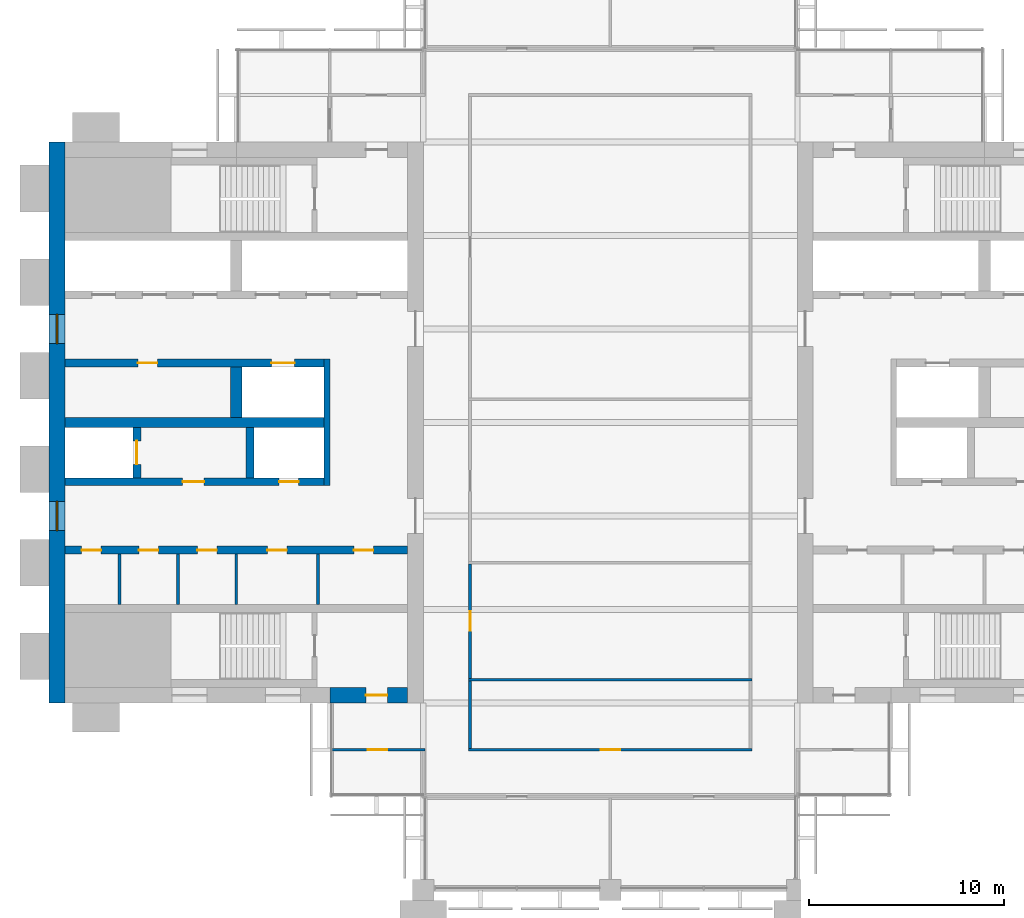
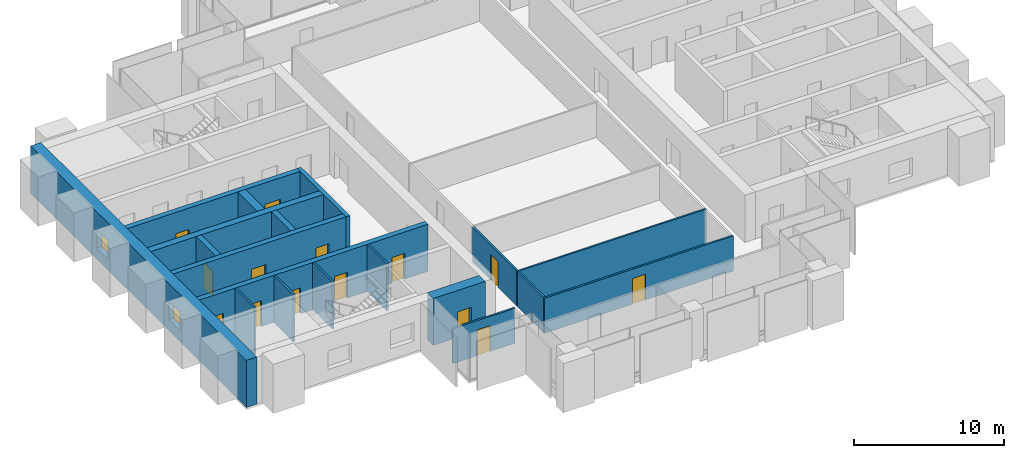
# One storey, part 8 of 13: 19 walls, 14 doors, 2 windows, 16 openings.
"""IFC4 building model written with IfcOpenShell, lengths in metres."""

import ifcopenshell
import ifcopenshell.guid

model = None  # the IFC model being written
_history = None  # IfcOwnerHistory: only IFC2X3 demands one
_inside = {}  # id of a spatial element -> (the spatial element, [elements in it])
_under = {}  # id of a project, library or spatial element -> (it, [spatial elements below it])
_declared = {}  # id of a project -> (the project, [libraries it declares])
_typed = {}  # id of a type object -> (the type object, [elements of that type])
_made_of = {}  # id of a material, layer set ... -> (it, [elements and type objects made of it])


def new_model(schema):
    """Start an empty IFC model of exactly this schema.

    Asked for "IFC4X3", IfcOpenShell would pick the latest addendum, in which some entities
    have other attributes; the version numbers below select the first issue.
    IFC2X3 requires an IfcOwnerHistory on every rooted entity: one is made here for all.
    """
    global model, _history
    if schema == "IFC4X3":
        model = ifcopenshell.file(schema_version=(4, 3, 0, 0))
    else:
        model = ifcopenshell.file(schema=schema)
    _inside.clear()
    _under.clear()
    _declared.clear()
    _typed.clear()
    _made_of.clear()
    _history = None
    if model.schema == "IFC2X3":
        org = make("IfcOrganization", Name="unknown")
        user = make(
            "IfcPersonAndOrganization",
            ThePerson=make("IfcPerson", FamilyName="unknown"),
            TheOrganization=org,
        )
        app = make(
            "IfcApplication",
            ApplicationDeveloper=org,
            Version="unknown",
            ApplicationFullName="unknown",
            ApplicationIdentifier="unknown",
        )
        _history = make(
            "IfcOwnerHistory",
            OwningUser=user,
            OwningApplication=app,
            ChangeAction="ADDED",
            CreationDate=0,
        )
    return model


def make(cls, **values):
    """One entity of the class cls with the attributes given. An attribute that is None is left unset."""
    return model.create_entity(
        cls, **{name: value for name, value in values.items() if value is not None}
    )


def rooted(cls, **values):
    """An entity with a GlobalId (a new one), such as an element, a storey or a relation."""
    return make(cls, GlobalId=ifcopenshell.guid.new(), OwnerHistory=_history, **values)


def si_unit(unit_type, name, prefix=None):
    """IfcSIUnit, for example si_unit("LENGTHUNIT", "METRE", prefix="MILLI")."""
    return make("IfcSIUnit", UnitType=unit_type, Prefix=prefix, Name=name)


def assignment(units):
    """IfcUnitAssignment: the units of a project."""
    return None if units is None else make("IfcUnitAssignment", Units=units)


def point(xyz):
    """IfcCartesianPoint."""
    return None if xyz is None else make("IfcCartesianPoint", Coordinates=xyz)


def direction(xyz):
    """IfcDirection."""
    return None if xyz is None else make("IfcDirection", DirectionRatios=xyz)


def frame(location, z_axis=None, x_axis=None):
    """IfcAxis2Placement3D, a coordinate frame: its origin and axes. An axis left out is left unset."""
    return make(
        "IfcAxis2Placement3D",
        Location=point(location),
        Axis=direction(z_axis),
        RefDirection=direction(x_axis),
    )


def frame_2d(location, x_axis=None):
    """IfcAxis2Placement2D, a coordinate frame in the plane: its origin and x axis."""
    return make(
        "IfcAxis2Placement2D", Location=point(location), RefDirection=direction(x_axis)
    )


def origin():
    """The frame at (0, 0, 0) with its axes left unset."""
    return frame((0.0, 0.0, 0.0))


def place(relative_to, where):
    """IfcLocalPlacement: puts the frame where relative to a parent placement (None: the world)."""
    return make(
        "IfcLocalPlacement", PlacementRelTo=relative_to, RelativePlacement=where
    )


def context(
    kind, dimensions, precision=None, world=None, true_north=None, identifier=None
):
    """IfcGeometricRepresentationContext, for example the 3D "Model" context."""
    return make(
        "IfcGeometricRepresentationContext",
        ContextIdentifier=identifier,
        ContextType=kind,
        CoordinateSpaceDimension=dimensions,
        Precision=precision,
        WorldCoordinateSystem=world,
        TrueNorth=true_north,
    )


def subcontext(parent, identifier, kind, view, scale=None):
    """IfcGeometricRepresentationSubContext, for example "Body" below "Model"."""
    return make(
        "IfcGeometricRepresentationSubContext",
        ContextIdentifier=identifier,
        ContextType=kind,
        ParentContext=parent,
        TargetScale=scale,
        TargetView=view,
    )


def project(units=None, contexts=None):
    """IfcProject with its units and contexts."""
    return rooted(
        "IfcProject",
        Name="project",
        RepresentationContexts=contexts,
        UnitsInContext=assignment(units),
    )


def spatial(cls, under=None, at=None, **own):
    """A site, building, storey or space (cls), placed at a placement, below another one or the project."""
    s = rooted(cls, ObjectPlacement=at, **own)
    if under is not None:
        _under.setdefault(under.id(), (under, []))[1].append(s)
    return s


def profile(cls, at=None, kind="AREA", **sizes):
    """A parametric profile (cls). Its sizes go by their IFC names, for example OverallWidth=200.0."""
    return make(cls, ProfileType=kind, Position=at, **sizes)


def rectangle(**sizes):
    """IfcRectangleProfileDef."""
    return profile("IfcRectangleProfileDef", **sizes)


def extrude(swept, where, along, depth):
    """IfcExtrudedAreaSolid: the profile swept, set in the frame where, extruded along a direction by depth."""
    return make(
        "IfcExtrudedAreaSolid",
        SweptArea=swept,
        Position=where,
        ExtrudedDirection=direction(along),
        Depth=depth,
    )


def shape(context_of_items, identifier, shape_type, items):
    """IfcShapeRepresentation: the items that make up one representation, for example the "Body"."""
    return make(
        "IfcShapeRepresentation",
        ContextOfItems=context_of_items,
        RepresentationIdentifier=identifier,
        RepresentationType=shape_type,
        Items=items,
    )


def material(Name=None, Category=None):
    """IfcMaterial."""
    return make("IfcMaterial", Name=Name, Category=Category)


def layer(
    of_material, thickness, ventilated=None, Name=None, Category=None, Priority=None
):
    """IfcMaterialLayer: one layer of a wall or slab, of a material (None: an air gap)."""
    return make(
        "IfcMaterialLayer",
        Material=of_material,
        LayerThickness=thickness,
        IsVentilated=ventilated,
        Name=Name,
        Category=Category,
        Priority=Priority,
    )


def layer_set(layers, Name=None):
    """IfcMaterialLayerSet."""
    return make("IfcMaterialLayerSet", MaterialLayers=layers, LayerSetName=Name)


def made_of(thing, what):
    """Note that an element or type object is made of a material, layer set ...; save() writes the relation."""
    if what is not None:
        _made_of.setdefault(what.id(), (what, []))[1].append(thing)
    return thing


def type_object(cls, material=None, **own):
    """A type object (cls), such as IfcWallType, which elements share."""
    return made_of(rooted(cls, **own), material)


def element(
    cls,
    number,
    at=None,
    inside=None,
    cuts=None,
    type_object=None,
    material=None,
    context=None,
    identifier="Body",
    shape_type=None,
    held_by="IfcProductDefinitionShape",
    body=None,
    shapes=None,
    **own,
):
    """One element of the class cls, such as IfcWall. Its Tag is "e" and its number.

    at: its placement. inside: the storey or other place that contains it. cuts: it is an
    opening in that element (IfcRelVoidsElement). A single representation is given by context,
    identifier, shape_type and body (its items); several are given by shapes. held_by: the class
    of the entity that holds the representations. save() writes the other relations.
    """
    e = rooted(cls, Tag="e%d" % number, ObjectPlacement=at, **own)
    if body is not None:
        shapes = [shape(context, identifier, shape_type, body)]
    if shapes is not None:
        e.Representation = make(held_by, Representations=shapes)
    if inside is not None:
        _inside.setdefault(inside.id(), (inside, []))[1].append(e)
    if cuts is not None:
        rooted(
            "IfcRelVoidsElement", RelatingBuildingElement=cuts, RelatedOpeningElement=e
        )
    if type_object is not None:
        _typed.setdefault(type_object.id(), (type_object, []))[1].append(e)
    return made_of(e, material)


def fill(opening, filler):
    """IfcRelFillsElement: the door or window that sits in an opening."""
    return rooted(
        "IfcRelFillsElement",
        RelatingOpeningElement=opening,
        RelatedBuildingElement=filler,
    )


def aggregate(whole, parts):
    """IfcRelAggregates: a whole, such as a stair, and the parts it consists of."""
    return rooted("IfcRelAggregates", RelatingObject=whole, RelatedObjects=parts)


def save(model, path):
    """Write the relations noted so far, then the file.

    IfcRelAggregates (storeys below a building ...), IfcRelContainedInSpatialStructure (elements
    in a storey), IfcRelDefinesByType, IfcRelAssociatesMaterial and IfcRelDeclares: one each for
    every whole, place, type object, material and project.
    """
    for whole, parts in _under.values():
        aggregate(whole, parts)
    for where, things in _inside.values():
        rooted(
            "IfcRelContainedInSpatialStructure",
            RelatedElements=things,
            RelatingStructure=where,
        )
    for kind, things in _typed.values():
        rooted("IfcRelDefinesByType", RelatedObjects=things, RelatingType=kind)
    for what, things in _made_of.values():
        rooted("IfcRelAssociatesMaterial", RelatedObjects=things, RelatingMaterial=what)
    for by, libraries in _declared.values():
        rooted("IfcRelDeclares", RelatingContext=by, RelatedDefinitions=libraries)
    model.write(path)


model = new_model("IFC4")

# Units and contexts
model_context = context("Model", 3, precision=1e-05, world=origin(), true_north=direction((0.0, 1.0)))
body_context = subcontext(model_context, "Body", "Model", "MODEL_VIEW")
ifc_project = project(units=[si_unit("LENGTHUNIT", "METRE"), si_unit("AREAUNIT", "SQUARE_METRE"), si_unit("VOLUMEUNIT", "CUBIC_METRE"), si_unit("PLANEANGLEUNIT", "RADIAN"), si_unit("MASSUNIT", "GRAM", prefix="KILO")], contexts=[model_context])

# Site, building, storey
site_placement = place(None, origin())
site = spatial("IfcSite", under=ifc_project, at=site_placement, CompositionType="ELEMENT")
building_placement = place(site_placement, origin())
building = spatial("IfcBuilding", under=site, at=building_placement, Name="Baori Bourse Tower", CompositionType="ELEMENT")
storey_placement = place(building_placement, frame((0.0, 0.0, 253.199951171875)))
storey = spatial("IfcBuildingStorey", under=building, at=storey_placement, Name="L56", CompositionType="ELEMENT", Elevation=253.199951171875)

# Walls
ifc_material_1 = material(Name="Blockwork partition", Category="masonry")
ifc_layer_1 = layer(ifc_material_1, 0.14990234375)
ifc_layer_set_1 = layer_set([ifc_layer_1], Name="Core partition 150")
wall_type_1 = type_object("IfcWallType", Name="Core partition 150", PredefinedType="PARTITIONING", material=ifc_layer_set_1)
for number, where, z_axis, x_axis, name in (
    (1, (3.60009765625, 14.64990234375, 0.0), (0.0, 0.0, 1.0), (0.0, 1.0, 0.0), "Partition wall W09"),
    (2, (6.60009765625, 14.64990234375, 0.0), (0.0, 0.0, 1.0), (0.0, 1.0, 0.0), "Partition wall W10"),
    (3, (9.60009765625, 14.64990234375, 0.0), (0.0, 0.0, 1.0), (0.0, 1.0, 0.0), "Partition wall W11"),
    (4, (13.800048828125, 14.64990234375, 0.0), (0.0, 0.0, 1.0), (0.0, 1.0, 0.0), "Partition wall W12"),
):
    element("IfcWall", number, at=place(storey_placement, frame(where, z_axis=z_axis, x_axis=x_axis)), inside=storey, type_object=wall_type_1, Name=name, PredefinedType="PARTITIONING", context=body_context, shape_type="SweptSolid", body=[
        extrude(rectangle(XDim=2.60009765625, YDim=0.14990234375, at=frame_2d((1.300048828125, 0.0))), origin(), (0.0, 0.0, 1.0), 3.840087890625),
    ])

# Wall, openings, windows
ifc_material_2 = material(Name="Concrete f'c 50 MPa", Category="concrete")
ifc_layer_2 = layer(ifc_material_2, 0.800048828125)
ifc_layer_set_2 = layer_set([ifc_layer_2], Name="Core wall 800 f'c 50")
wall_type_2 = type_object("IfcWallType", Name="Core wall 800 f'c 50", PredefinedType="SHEAR", material=ifc_layer_set_2)
wall_1_placement = place(storey_placement, frame((0.39990234375, 9.60009765625, 0.0), z_axis=(0.0, 0.0, 1.0), x_axis=(0.0, 1.0, 0.0)))
wall_1 = element("IfcWall", 5, at=wall_1_placement, inside=storey, type_object=wall_type_2, Name="Core wall W01", PredefinedType="SHEAR", context=body_context, shape_type="SweptSolid", body=[
    extrude(rectangle(XDim=28.7998046875, YDim=0.800048828125, at=frame_2d((14.39990234375, 0.0))), origin(), (0.0, 0.0, 1.0), 3.840087890625),
])
opening_1_placement = place(wall_1_placement, frame((8.85009765625, 0.0, 0.89990234375)))
opening_1 = element("IfcOpeningElement", 6, at=opening_1_placement, cuts=wall_1, Name="Opening L56-KW101", PredefinedType="OPENING", context=body_context, shape_type="SweptSolid", body=[
    extrude(rectangle(XDim=1.5, YDim=1.5, at=frame_2d((0.75, 0.75))), frame((0.0, 0.409912109375, 0.0), z_axis=(0.0, -1.0, 0.0), x_axis=(1.0, 0.0, 0.0)), (0.0, 0.0, 1.0), 0.820068359375),
])
opening_2_placement = place(wall_1_placement, frame((18.449951171875, 0.0, 0.89990234375)))
opening_2 = element("IfcOpeningElement", 7, at=opening_2_placement, cuts=wall_1, Name="Opening L56-KW102", PredefinedType="OPENING", context=body_context, shape_type="SweptSolid", body=[
    extrude(rectangle(XDim=1.5, YDim=1.5, at=frame_2d((0.75, 0.75))), frame((0.0, 0.409912109375, 0.0), z_axis=(0.0, -1.0, 0.0), x_axis=(1.0, 0.0, 0.0)), (0.0, 0.0, 1.0), 0.820068359375),
])
ifc_material_3 = material(Name="Pale anodised aluminium", Category="aluminium")
window_type = type_object("IfcWindowType", Name="Lobby window 1500 x 1500", PartitioningType="SINGLE_PANEL", PredefinedType="WINDOW", material=ifc_material_3)
window_1_placement = place(opening_1_placement, origin())
window_1 = element("IfcWindow", 8, at=window_1_placement, inside=storey, type_object=window_type, Name="Outer wall window W L56 1", OverallHeight=1.5, OverallWidth=1.5, PartitioningType="SINGLE_PANEL", PredefinedType="WINDOW", context=body_context, shape_type="SweptSolid", body=[
    extrude(rectangle(XDim=1.5, YDim=1.5, at=frame_2d((0.75, 0.75))), frame((0.0, 0.030029296875, 0.0), z_axis=(0.0, -1.0, 0.0), x_axis=(1.0, 0.0, 0.0)), (0.0, 0.0, 1.0), 0.06005859375),
])
fill(opening_1, window_1)
window_2_placement = place(opening_2_placement, origin())
window_2 = element("IfcWindow", 9, at=window_2_placement, inside=storey, type_object=window_type, Name="Outer wall window W L56 2", OverallHeight=1.5, OverallWidth=1.5, PartitioningType="SINGLE_PANEL", PredefinedType="WINDOW", context=body_context, shape_type="SweptSolid", body=[
    extrude(rectangle(XDim=1.5, YDim=1.5, at=frame_2d((0.75, 0.75))), frame((0.0, 0.030029296875, 0.0), z_axis=(0.0, -1.0, 0.0), x_axis=(1.0, 0.0, 0.0)), (0.0, 0.0, 1.0), 0.06005859375),
])
fill(opening_2, window_2)

# Wall, opening, door
wall_2_placement = place(storey_placement, frame((18.39990234375, 10.0, 0.0), z_axis=(0.0, 0.0, 1.0), x_axis=(-1.0, 0.0, 0.0)))
wall_2 = element("IfcWall", 10, at=wall_2_placement, inside=storey, type_object=wall_type_2, Name="Core wall W03", PredefinedType="SHEAR", context=body_context, shape_type="SweptSolid", body=[
    extrude(rectangle(XDim=4.0, YDim=0.800048828125, at=frame_2d((2.0, 0.0))), origin(), (0.0, 0.0, 1.0), 3.840087890625),
])
opening_3_placement = place(wall_2_placement, frame((1.050048828125, 0.0, 0.0)))
opening_3 = element("IfcOpeningElement", 11, at=opening_3_placement, cuts=wall_2, Name="Opening L56-D102", PredefinedType="OPENING", context=body_context, shape_type="SweptSolid", body=[
    extrude(rectangle(XDim=1.10009765625, YDim=2.10009765625, at=frame_2d((0.550048828125, 1.050048828125))), frame((0.0, 0.409912109375, 0.0), z_axis=(0.0, -1.0, 0.0), x_axis=(1.0, 0.0, 0.0)), (0.0, 0.0, 1.0), 0.820068359375),
])
ifc_material_4 = material(Name="Painted steel door", Category="steel")
door_type_1 = type_object("IfcDoorType", Name="Stair door 1100", OperationType="SINGLE_SWING_LEFT", PredefinedType="DOOR", material=ifc_material_4)
door_1_placement = place(opening_3_placement, origin())
door_1 = element("IfcDoor", 12, at=door_1_placement, inside=storey, type_object=door_type_1, Name="Stair vestibule door A W L56", OperationType="SINGLE_SWING_LEFT", OverallHeight=2.10009765625, OverallWidth=1.10009765625, PredefinedType="DOOR", context=body_context, shape_type="SweptSolid", body=[
    extrude(rectangle(XDim=1.10009765625, YDim=2.10009765625, at=frame_2d((0.550048828125, 1.050048828125))), frame((0.0, 0.02490234375, 0.0), z_axis=(0.0, -1.0, 0.0), x_axis=(1.0, 0.0, 0.0)), (0.0, 0.0, 1.0), 0.050048828125),
])
fill(opening_3, door_1)

ifc_material_5 = material(Name="Gypsum board partition")
ifc_layer_3 = layer(ifc_material_5, 0.14990234375)
ifc_layer_set_3 = layer_set([ifc_layer_3], Name="Corridor partition 150")
wall_type_3 = type_object("IfcWallType", Name="Corridor partition 150", PredefinedType="PARTITIONING", material=ifc_layer_set_3)
wall_3_placement = place(storey_placement, frame((14.5, 7.199951171875, 0.0), z_axis=(0.0, 0.0, 1.0), x_axis=(1.0, 0.0, 0.0)))
wall_3 = element("IfcWall", 13, at=wall_3_placement, inside=storey, type_object=wall_type_3, Name="Partition", PredefinedType="PARTITIONING", context=body_context, shape_type="SweptSolid", body=[
    extrude(rectangle(XDim=4.77490234375, YDim=0.14990234375, at=frame_2d((2.387451171875, 0.0))), origin(), (0.0, 0.0, 1.0), 2.849365234375),
])
opening_4_placement = place(wall_3_placement, frame((1.85009765625, 0.0, 0.0)))
opening_4 = element("IfcOpeningElement", 14, at=opening_4_placement, cuts=wall_3, Name="Opening L56-D03", PredefinedType="OPENING", context=body_context, shape_type="SweptSolid", body=[
    extrude(rectangle(XDim=1.0, YDim=2.10009765625, at=frame_2d((0.5, 1.050048828125))), frame((0.0, 0.0849609375, 0.0), z_axis=(0.0, -1.0, 0.0), x_axis=(1.0, 0.0, 0.0)), (0.0, 0.0, 1.0), 0.169921875),
])
ifc_material_6 = material(Name="Timber door leaf", Category="wood")
door_type_2 = type_object("IfcDoorType", Name="Door 1000 x 2100", OperationType="SINGLE_SWING_LEFT", PredefinedType="DOOR", material=ifc_material_6)
door_2_placement = place(opening_4_placement, origin())
door_2 = element("IfcDoor", 15, at=door_2_placement, inside=storey, type_object=door_type_2, Name="Door", OperationType="SINGLE_SWING_LEFT", OverallHeight=2.10009765625, OverallWidth=1.0, PredefinedType="DOOR", context=body_context, shape_type="SweptSolid", body=[
    extrude(rectangle(XDim=1.0, YDim=2.10009765625, at=frame_2d((0.5, 1.050048828125))), frame((0.0, 0.02490234375, 0.0), z_axis=(0.0, -1.0, 0.0), x_axis=(1.0, 0.0, 0.0)), (0.0, 0.0, 1.0), 0.050048828125),
])
fill(opening_4, door_2)

wall_4_placement = place(storey_placement, frame((21.52490234375, 7.199951171875, 0.0), z_axis=(0.0, 0.0, 1.0), x_axis=(1.0, 0.0, 0.0)))
wall_4 = element("IfcWall", 16, at=wall_4_placement, inside=storey, type_object=wall_type_3, Name="Partition", PredefinedType="PARTITIONING", context=body_context, shape_type="SweptSolid", body=[
    extrude(rectangle(XDim=14.550048828125, YDim=0.14990234375, at=frame_2d((7.27490234375, 0.0))), origin(), (0.0, 0.0, 1.0), 2.849365234375),
])
opening_5_placement = place(wall_4_placement, frame((6.77490234375, 0.0, 0.0)))
opening_5 = element("IfcOpeningElement", 17, at=opening_5_placement, cuts=wall_4, Name="Opening L56-D04", PredefinedType="OPENING", context=body_context, shape_type="SweptSolid", body=[
    extrude(rectangle(XDim=1.0, YDim=2.10009765625, at=frame_2d((0.5, 1.050048828125))), frame((0.0, 0.0849609375, 0.0), z_axis=(0.0, -1.0, 0.0), x_axis=(1.0, 0.0, 0.0)), (0.0, 0.0, 1.0), 0.169921875),
])
door_3_placement = place(opening_5_placement, origin())
door_3 = element("IfcDoor", 18, at=door_3_placement, inside=storey, type_object=door_type_2, Name="Door", OperationType="SINGLE_SWING_RIGHT", OverallHeight=2.10009765625, OverallWidth=1.0, PredefinedType="DOOR", context=body_context, shape_type="SweptSolid", body=[
    extrude(rectangle(XDim=1.0, YDim=2.10009765625, at=frame_2d((0.5, 1.050048828125))), frame((0.0, 0.02490234375, 0.0), z_axis=(0.0, -1.0, 0.0), x_axis=(1.0, 0.0, 0.0)), (0.0, 0.0, 1.0), 0.050048828125),
])
fill(opening_5, door_3)

# Wall
wall_5_placement = place(storey_placement, frame((21.60009765625, 7.27490234375, 0.0), z_axis=(0.0, 0.0, 1.0), x_axis=(0.0, 1.0, 0.0)))
element("IfcWall", 19, at=wall_5_placement, inside=storey, type_object=wall_type_3, Name="Partition", PredefinedType="PARTITIONING", context=body_context, shape_type="SweptSolid", body=[
    extrude(rectangle(XDim=3.462646484375, YDim=0.14990234375, at=frame_2d((1.7314453125, 0.0))), origin(), (0.0, 0.0, 1.0), 2.849365234375),
])

# Wall, opening, door
wall_6_placement = place(storey_placement, frame((21.60009765625, 10.862548828125, 0.0), z_axis=(0.0, 0.0, 1.0), x_axis=(0.0, 1.0, 0.0)))
wall_6 = element("IfcWall", 20, at=wall_6_placement, inside=storey, type_object=wall_type_3, Name="Partition", PredefinedType="PARTITIONING", context=body_context, shape_type="SweptSolid", body=[
    extrude(rectangle(XDim=5.875, YDim=0.14990234375, at=frame_2d((2.9375, 0.0))), origin(), (0.0, 0.0, 1.0), 2.849365234375),
])
opening_6_placement = place(wall_6_placement, frame((2.4375, 0.0, 0.0)))
opening_6 = element("IfcOpeningElement", 21, at=opening_6_placement, cuts=wall_6, Name="Opening L56-D11", PredefinedType="OPENING", context=body_context, shape_type="SweptSolid", body=[
    extrude(rectangle(XDim=1.0, YDim=2.10009765625, at=frame_2d((0.5, 1.050048828125))), frame((0.0, 0.0849609375, 0.0), z_axis=(0.0, -1.0, 0.0), x_axis=(1.0, 0.0, 0.0)), (0.0, 0.0, 1.0), 0.169921875),
])
door_4_placement = place(opening_6_placement, origin())
door_4 = element("IfcDoor", 22, at=door_4_placement, inside=storey, type_object=door_type_2, Name="Door", OperationType="SINGLE_SWING_LEFT", OverallHeight=2.10009765625, OverallWidth=1.0, PredefinedType="DOOR", context=body_context, shape_type="SweptSolid", body=[
    extrude(rectangle(XDim=1.0, YDim=2.10009765625, at=frame_2d((0.5, 1.050048828125))), frame((0.0, 0.02490234375, 0.0), z_axis=(0.0, -1.0, 0.0), x_axis=(1.0, 0.0, 0.0)), (0.0, 0.0, 1.0), 0.050048828125),
])
fill(opening_6, door_4)

# Walls
ifc_material_7 = material(Name="Gypsum board partition")
ifc_layer_4 = layer(ifc_material_7, 0.125)
ifc_layer_set_4 = layer_set([ifc_layer_4], Name="Partition 125")
wall_type_4 = type_object("IfcWallType", Name="Partition 125", PredefinedType="PARTITIONING", material=ifc_layer_set_4)
wall_7_placement = place(storey_placement, frame((21.52490234375, 10.800048828125, 0.0), z_axis=(0.0, 0.0, 1.0), x_axis=(1.0, 0.0, 0.0)))
element("IfcWall", 23, at=wall_7_placement, inside=storey, type_object=wall_type_4, Name="Partition", PredefinedType="PARTITIONING", context=body_context, shape_type="SweptSolid", body=[
    extrude(rectangle(XDim=14.550048828125, YDim=0.125, at=frame_2d((7.27490234375, 0.0))), origin(), (0.0, 0.0, 1.0), 2.849365234375),
])
ifc_material_8 = material(Name="Concrete f'c 50 MPa", Category="concrete")
ifc_layer_5 = layer(ifc_material_8, 0.300048828125)
ifc_layer_set_5 = layer_set([ifc_layer_5], Name="Shaft wall 300 f'c 50")
wall_type_5 = type_object("IfcWallType", Name="Shaft wall 300 f'c 50", PredefinedType="SHEAR", material=ifc_layer_set_5)
wall_8_placement = place(storey_placement, frame((14.25, 20.75, 0.0), z_axis=(0.0, 0.0, 1.0), x_axis=(0.0, 1.0, 0.0)))
element("IfcWall", 24, at=wall_8_placement, inside=storey, type_object=wall_type_5, Name="Core wall W15", PredefinedType="SHEAR", context=body_context, shape_type="SweptSolid", body=[
    extrude(rectangle(XDim=6.5, YDim=0.300048828125, at=frame_2d((3.25, 0.0))), origin(), (0.0, 0.0, 1.0), 3.840087890625),
])

# Wall, openings, doors
ifc_material_9 = material(Name="Concrete f'c 50 MPa", Category="concrete")
ifc_layer_6 = layer(ifc_material_9, 0.39990234375)
ifc_layer_set_6 = layer_set([ifc_layer_6], Name="Shaft wall 400 f'c 50")
wall_type_6 = type_object("IfcWallType", Name="Shaft wall 400 f'c 50", PredefinedType="SHEAR", material=ifc_layer_set_6)
wall_9_placement = place(storey_placement, frame((0.800048828125, 17.449951171875, 0.0), z_axis=(0.0, 0.0, 1.0), x_axis=(1.0, 0.0, 0.0)))
wall_9 = element("IfcWall", 25, at=wall_9_placement, inside=storey, type_object=wall_type_6, Name="Core wall W13", PredefinedType="SHEAR", context=body_context, shape_type="SweptSolid", body=[
    extrude(rectangle(XDim=17.599853515625, YDim=0.39990234375, at=frame_2d((8.7998046875, 0.0))), origin(), (0.0, 0.0, 1.0), 3.840087890625),
])
opening_7_placement = place(wall_9_placement, frame((0.862548828125, 0.0, 0.0)))
opening_7 = element("IfcOpeningElement", 26, at=opening_7_placement, cuts=wall_9, Name="Opening L56-D109", PredefinedType="OPENING", context=body_context, shape_type="SweptSolid", body=[
    extrude(rectangle(XDim=1.0, YDim=2.10009765625, at=frame_2d((0.5, 1.050048828125))), frame((0.0, 0.2099609375, 0.0), z_axis=(0.0, -1.0, 0.0), x_axis=(1.0, 0.0, 0.0)), (0.0, 0.0, 1.0), 0.419921875),
])
opening_8_placement = place(wall_9_placement, frame((3.800048828125, 0.0, 0.0)))
opening_8 = element("IfcOpeningElement", 27, at=opening_8_placement, cuts=wall_9, Name="Opening L56-D110", PredefinedType="OPENING", context=body_context, shape_type="SweptSolid", body=[
    extrude(rectangle(XDim=1.0, YDim=2.10009765625, at=frame_2d((0.5, 1.050048828125))), frame((0.0, 0.2099609375, 0.0), z_axis=(0.0, -1.0, 0.0), x_axis=(1.0, 0.0, 0.0)), (0.0, 0.0, 1.0), 0.419921875),
])
opening_9_placement = place(wall_9_placement, frame((6.800048828125, 0.0, 0.0)))
opening_9 = element("IfcOpeningElement", 28, at=opening_9_placement, cuts=wall_9, Name="Opening L56-D111", PredefinedType="OPENING", context=body_context, shape_type="SweptSolid", body=[
    extrude(rectangle(XDim=1.0, YDim=2.10009765625, at=frame_2d((0.5, 1.050048828125))), frame((0.0, 0.2099609375, 0.0), z_axis=(0.0, -1.0, 0.0), x_axis=(1.0, 0.0, 0.0)), (0.0, 0.0, 1.0), 0.419921875),
])
opening_10_placement = place(wall_9_placement, frame((10.39990234375, 0.0, 0.0)))
opening_10 = element("IfcOpeningElement", 29, at=opening_10_placement, cuts=wall_9, Name="Opening L56-D112", PredefinedType="OPENING", context=body_context, shape_type="SweptSolid", body=[
    extrude(rectangle(XDim=1.0, YDim=2.10009765625, at=frame_2d((0.5, 1.050048828125))), frame((0.0, 0.2099609375, 0.0), z_axis=(0.0, -1.0, 0.0), x_axis=(1.0, 0.0, 0.0)), (0.0, 0.0, 1.0), 0.419921875),
])
opening_11_placement = place(wall_9_placement, frame((14.83740234375, 0.0, 0.0)))
opening_11 = element("IfcOpeningElement", 30, at=opening_11_placement, cuts=wall_9, Name="Opening L56-D113", PredefinedType="OPENING", context=body_context, shape_type="SweptSolid", body=[
    extrude(rectangle(XDim=1.0, YDim=2.10009765625, at=frame_2d((0.5, 1.050048828125))), frame((0.0, 0.2099609375, 0.0), z_axis=(0.0, -1.0, 0.0), x_axis=(1.0, 0.0, 0.0)), (0.0, 0.0, 1.0), 0.419921875),
])
ifc_material_10 = material(Name="Painted steel door", Category="steel")
door_type_3 = type_object("IfcDoorType", Name="Core door 1000", OperationType="SINGLE_SWING_LEFT", PredefinedType="DOOR", material=ifc_material_10)
door_5_placement = place(opening_7_placement, origin())
door_5 = element("IfcDoor", 31, at=door_5_placement, inside=storey, type_object=door_type_3, Name="Janitor'S Closet door W L56", OperationType="SINGLE_SWING_LEFT", OverallHeight=2.10009765625, OverallWidth=1.0, PredefinedType="DOOR", context=body_context, shape_type="SweptSolid", body=[
    extrude(rectangle(XDim=1.0, YDim=2.10009765625, at=frame_2d((0.5, 1.050048828125))), frame((0.0, 0.02490234375, 0.0), z_axis=(0.0, -1.0, 0.0), x_axis=(1.0, 0.0, 0.0)), (0.0, 0.0, 1.0), 0.050048828125),
])
fill(opening_7, door_5)
door_6_placement = place(opening_8_placement, origin())
door_6 = element("IfcDoor", 32, at=door_6_placement, inside=storey, type_object=door_type_3, Name="Accessible Wc door W L56", OperationType="SINGLE_SWING_LEFT", OverallHeight=2.10009765625, OverallWidth=1.0, PredefinedType="DOOR", context=body_context, shape_type="SweptSolid", body=[
    extrude(rectangle(XDim=1.0, YDim=2.10009765625, at=frame_2d((0.5, 1.050048828125))), frame((0.0, 0.02490234375, 0.0), z_axis=(0.0, -1.0, 0.0), x_axis=(1.0, 0.0, 0.0)), (0.0, 0.0, 1.0), 0.050048828125),
])
fill(opening_8, door_6)
door_7_placement = place(opening_10_placement, origin())
door_7 = element("IfcDoor", 33, at=door_7_placement, inside=storey, type_object=door_type_3, Name="Men'S Wc door W L56", OperationType="SINGLE_SWING_LEFT", OverallHeight=2.10009765625, OverallWidth=1.0, PredefinedType="DOOR", context=body_context, shape_type="SweptSolid", body=[
    extrude(rectangle(XDim=1.0, YDim=2.10009765625, at=frame_2d((0.5, 1.050048828125))), frame((0.0, 0.02490234375, 0.0), z_axis=(0.0, -1.0, 0.0), x_axis=(1.0, 0.0, 0.0)), (0.0, 0.0, 1.0), 0.050048828125),
])
fill(opening_10, door_7)
door_8_placement = place(opening_11_placement, origin())
door_8 = element("IfcDoor", 34, at=door_8_placement, inside=storey, type_object=door_type_3, Name="Women'S Wc door W L56", OperationType="SINGLE_SWING_LEFT", OverallHeight=2.10009765625, OverallWidth=1.0, PredefinedType="DOOR", context=body_context, shape_type="SweptSolid", body=[
    extrude(rectangle(XDim=1.0, YDim=2.10009765625, at=frame_2d((0.5, 1.050048828125))), frame((0.0, 0.02490234375, 0.0), z_axis=(0.0, -1.0, 0.0), x_axis=(1.0, 0.0, 0.0)), (0.0, 0.0, 1.0), 0.050048828125),
])
fill(opening_11, door_8)
ifc_material_11 = material(Name="Painted steel door", Category="steel")
door_type_4 = type_object("IfcDoorType", Name="Plant room door 1000", OperationType="SINGLE_SWING_LEFT", PredefinedType="DOOR", material=ifc_material_11)
door_9_placement = place(opening_9_placement, origin())
door_9 = element("IfcDoor", 35, at=door_9_placement, inside=storey, type_object=door_type_4, Name="Plumbing Equipment Room door W L56", OperationType="SINGLE_SWING_LEFT", OverallHeight=2.10009765625, OverallWidth=1.0, PredefinedType="DOOR", context=body_context, shape_type="SweptSolid", body=[
    extrude(rectangle(XDim=1.0, YDim=2.10009765625, at=frame_2d((0.5, 1.050048828125))), frame((0.0, 0.02490234375, 0.0), z_axis=(0.0, -1.0, 0.0), x_axis=(1.0, 0.0, 0.0)), (0.0, 0.0, 1.0), 0.050048828125),
])
fill(opening_9, door_9)

wall_10_placement = place(storey_placement, frame((0.800048828125, 20.949951171875, 0.0), z_axis=(0.0, 0.0, 1.0), x_axis=(1.0, 0.0, 0.0)))
wall_10 = element("IfcWall", 36, at=wall_10_placement, inside=storey, type_object=wall_type_6, Name="Core wall W14", PredefinedType="SHEAR", context=body_context, shape_type="SweptSolid", body=[
    extrude(rectangle(XDim=13.300048828125, YDim=0.39990234375, at=frame_2d((6.64990234375, 0.0))), origin(), (0.0, 0.0, 1.0), 3.840087890625),
])
opening_12_placement = place(wall_10_placement, frame((6.050048828125, 0.0, 0.0)))
opening_12 = element("IfcOpeningElement", 37, at=opening_12_placement, cuts=wall_10, Name="Opening L56-D105", PredefinedType="OPENING", context=body_context, shape_type="SweptSolid", body=[
    extrude(rectangle(XDim=1.10009765625, YDim=2.10009765625, at=frame_2d((0.550048828125, 1.050048828125))), frame((0.0, 0.2099609375, 0.0), z_axis=(0.0, -1.0, 0.0), x_axis=(1.0, 0.0, 0.0)), (0.0, 0.0, 1.0), 0.419921875),
])
opening_13_placement = place(wall_10_placement, frame((11.0, 0.0, 0.0)))
opening_13 = element("IfcOpeningElement", 38, at=opening_13_placement, cuts=wall_10, Name="Opening L56-D106", PredefinedType="OPENING", context=body_context, shape_type="SweptSolid", body=[
    extrude(rectangle(XDim=1.0, YDim=2.10009765625, at=frame_2d((0.5, 1.050048828125))), frame((0.0, 0.2099609375, 0.0), z_axis=(0.0, -1.0, 0.0), x_axis=(1.0, 0.0, 0.0)), (0.0, 0.0, 1.0), 0.419921875),
])
ifc_material_12 = material(Name="Painted steel door", Category="steel")
door_type_5 = type_object("IfcDoorType", Name="Lobby door 1100", OperationType="SINGLE_SWING_LEFT", PredefinedType="DOOR", material=ifc_material_12)
door_10_placement = place(opening_12_placement, origin())
door_10 = element("IfcDoor", 39, at=door_10_placement, inside=storey, type_object=door_type_5, Name="Firefighting lobby door W L56", OperationType="SINGLE_SWING_LEFT", OverallHeight=2.10009765625, OverallWidth=1.10009765625, PredefinedType="DOOR", context=body_context, shape_type="SweptSolid", body=[
    extrude(rectangle(XDim=1.10009765625, YDim=2.10009765625, at=frame_2d((0.550048828125, 1.050048828125))), frame((0.0, 0.02490234375, 0.0), z_axis=(0.0, -1.0, 0.0), x_axis=(1.0, 0.0, 0.0)), (0.0, 0.0, 1.0), 0.050048828125),
])
fill(opening_12, door_10)
ifc_material_13 = material(Name="Painted steel door", Category="steel")
door_type_6 = type_object("IfcDoorType", Name="Shaft door 1000", OperationType="SINGLE_SWING_LEFT", PredefinedType="DOOR", material=ifc_material_13)
door_11_placement = place(opening_13_placement, origin())
door_11 = element("IfcDoor", 40, at=door_11_placement, inside=storey, type_object=door_type_6, Name="Riser room door W L56", OperationType="SINGLE_SWING_LEFT", OverallHeight=2.10009765625, OverallWidth=1.0, PredefinedType="DOOR", context=body_context, shape_type="SweptSolid", body=[
    extrude(rectangle(XDim=1.0, YDim=2.10009765625, at=frame_2d((0.5, 1.050048828125))), frame((0.0, 0.02490234375, 0.0), z_axis=(0.0, -1.0, 0.0), x_axis=(1.0, 0.0, 0.0)), (0.0, 0.0, 1.0), 0.050048828125),
])
fill(opening_13, door_11)

# Wall, opening, door
wall_11_placement = place(storey_placement, frame((4.5, 21.14990234375, 0.0), z_axis=(0.0, 0.0, 1.0), x_axis=(0.0, 1.0, 0.0)))
wall_11 = element("IfcWall", 41, at=wall_11_placement, inside=storey, type_object=wall_type_6, Name="Core wall W16", PredefinedType="SHEAR", context=body_context, shape_type="SweptSolid", body=[
    extrude(rectangle(XDim=2.60009765625, YDim=0.39990234375, at=frame_2d((1.300048828125, 0.0))), origin(), (0.0, 0.0, 1.0), 3.840087890625),
])
opening_14_placement = place(wall_11_placement, frame((0.699951171875, 0.0, 0.0)))
opening_14 = element("IfcOpeningElement", 42, at=opening_14_placement, cuts=wall_11, Name="Opening L56-D122", PredefinedType="OPENING", context=body_context, shape_type="SweptSolid", body=[
    extrude(rectangle(XDim=1.199951171875, YDim=2.10009765625, at=frame_2d((0.60009765625, 1.050048828125))), frame((0.0, 0.2099609375, 0.0), z_axis=(0.0, -1.0, 0.0), x_axis=(1.0, 0.0, 0.0)), (0.0, 0.0, 1.0), 0.419921875),
])
ifc_material_14 = material(Name="Stainless steel door", Category="steel")
door_type_7 = type_object("IfcDoorType", Name="Lift landing door", OperationType="DOUBLE_DOOR_SLIDING", PredefinedType="DOOR", material=ifc_material_14)
door_12_placement = place(opening_14_placement, origin())
door_12 = element("IfcDoor", 43, at=door_12_placement, inside=storey, type_object=door_type_7, Name="Lift landing door FF1 W L56", OperationType="DOUBLE_DOOR_SLIDING", OverallHeight=2.10009765625, OverallWidth=1.199951171875, PredefinedType="DOOR", context=body_context, shape_type="SweptSolid", body=[
    extrude(rectangle(XDim=1.199951171875, YDim=2.10009765625, at=frame_2d((0.60009765625, 1.050048828125))), frame((0.0, 0.02490234375, 0.0), z_axis=(0.0, -1.0, 0.0), x_axis=(1.0, 0.0, 0.0)), (0.0, 0.0, 1.0), 0.050048828125),
])
fill(opening_14, door_12)

# Wall
wall_12_placement = place(storey_placement, frame((10.300048828125, 21.14990234375, 0.0), z_axis=(0.0, 0.0, 1.0), x_axis=(0.0, 1.0, 0.0)))
element("IfcWall", 44, at=wall_12_placement, inside=storey, type_object=wall_type_6, Name="Core wall W17", PredefinedType="SHEAR", context=body_context, shape_type="SweptSolid", body=[
    extrude(rectangle(XDim=2.60009765625, YDim=0.39990234375, at=frame_2d((1.300048828125, 0.0))), origin(), (0.0, 0.0, 1.0), 3.840087890625),
])

# Wall, openings, doors
wall_13_placement = place(storey_placement, frame((0.800048828125, 27.050048828125, 0.0), z_axis=(0.0, 0.0, 1.0), x_axis=(1.0, 0.0, 0.0)))
wall_13 = element("IfcWall", 45, at=wall_13_placement, inside=storey, type_object=wall_type_6, Name="Core wall W20", PredefinedType="SHEAR", context=body_context, shape_type="SweptSolid", body=[
    extrude(rectangle(XDim=13.300048828125, YDim=0.39990234375, at=frame_2d((6.64990234375, 0.0))), origin(), (0.0, 0.0, 1.0), 3.840087890625),
])
opening_15_placement = place(wall_13_placement, frame((3.75, 0.0, 0.0)))
opening_15 = element("IfcOpeningElement", 46, at=opening_15_placement, cuts=wall_13, Name="Opening L56-D114", PredefinedType="OPENING", context=body_context, shape_type="SweptSolid", body=[
    extrude(rectangle(XDim=1.0, YDim=2.10009765625, at=frame_2d((0.5, 1.050048828125))), frame((0.0, 0.2099609375, 0.0), z_axis=(0.0, -1.0, 0.0), x_axis=(1.0, 0.0, 0.0)), (0.0, 0.0, 1.0), 0.419921875),
])
opening_16_placement = place(wall_13_placement, frame((10.60009765625, 0.0, 0.0)))
opening_16 = element("IfcOpeningElement", 47, at=opening_16_placement, cuts=wall_13, Name="Opening L56-D121", PredefinedType="OPENING", context=body_context, shape_type="SweptSolid", body=[
    extrude(rectangle(XDim=1.199951171875, YDim=2.10009765625, at=frame_2d((0.60009765625, 1.050048828125))), frame((0.0, 0.2099609375, 0.0), z_axis=(0.0, -1.0, 0.0), x_axis=(1.0, 0.0, 0.0)), (0.0, 0.0, 1.0), 0.419921875),
])
door_13_placement = place(opening_15_placement, origin())
door_13 = element("IfcDoor", 48, at=door_13_placement, inside=storey, type_object=door_type_3, Name="Copy Room door W L56", OperationType="SINGLE_SWING_LEFT", OverallHeight=2.10009765625, OverallWidth=1.0, PredefinedType="DOOR", context=body_context, shape_type="SweptSolid", body=[
    extrude(rectangle(XDim=1.0, YDim=2.10009765625, at=frame_2d((0.5, 1.050048828125))), frame((0.0, 0.02490234375, 0.0), z_axis=(0.0, -1.0, 0.0), x_axis=(1.0, 0.0, 0.0)), (0.0, 0.0, 1.0), 0.050048828125),
])
fill(opening_15, door_13)
door_14_placement = place(opening_16_placement, origin())
door_14 = element("IfcDoor", 49, at=door_14_placement, inside=storey, type_object=door_type_7, Name="Lift landing door SV1 W L56", OperationType="DOUBLE_DOOR_SLIDING", OverallHeight=2.10009765625, OverallWidth=1.199951171875, PredefinedType="DOOR", context=body_context, shape_type="SweptSolid", body=[
    extrude(rectangle(XDim=1.199951171875, YDim=2.10009765625, at=frame_2d((0.60009765625, 1.050048828125))), frame((0.0, 0.02490234375, 0.0), z_axis=(0.0, -1.0, 0.0), x_axis=(1.0, 0.0, 0.0)), (0.0, 0.0, 1.0), 0.050048828125),
])
fill(opening_16, door_14)

# Walls
ifc_material_15 = material(Name="Concrete f'c 50 MPa", Category="concrete")
ifc_layer_7 = layer(ifc_material_15, 0.5)
ifc_layer_set_7 = layer_set([ifc_layer_7], Name="Shaft wall 500 f'c 50")
wall_type_7 = type_object("IfcWallType", Name="Shaft wall 500 f'c 50", PredefinedType="SHEAR", material=ifc_layer_set_7)
wall_14_placement = place(storey_placement, frame((0.800048828125, 24.0, 0.0), z_axis=(0.0, 0.0, 1.0), x_axis=(1.0, 0.0, 0.0)))
element("IfcWall", 50, at=wall_14_placement, inside=storey, type_object=wall_type_7, Name="Core wall W18", PredefinedType="SHEAR", context=body_context, shape_type="SweptSolid", body=[
    extrude(rectangle(XDim=13.300048828125, YDim=0.5, at=frame_2d((6.64990234375, 0.0))), origin(), (0.0, 0.0, 1.0), 3.840087890625),
])
ifc_material_16 = material(Name="Concrete f'c 50 MPa", Category="concrete")
ifc_layer_8 = layer(ifc_material_16, 0.60009765625)
ifc_layer_set_8 = layer_set([ifc_layer_8], Name="Shaft wall 600 f'c 50")
wall_type_8 = type_object("IfcWallType", Name="Shaft wall 600 f'c 50", PredefinedType="SHEAR", material=ifc_layer_set_8)
wall_15_placement = place(storey_placement, frame((9.60009765625, 24.25, 0.0), z_axis=(0.0, 0.0, 1.0), x_axis=(0.0, 1.0, 0.0)))
element("IfcWall", 51, at=wall_15_placement, inside=storey, type_object=wall_type_8, Name="Core wall W19", PredefinedType="SHEAR", context=body_context, shape_type="SweptSolid", body=[
    extrude(rectangle(XDim=2.60009765625, YDim=0.60009765625, at=frame_2d((1.300048828125, 0.0))), origin(), (0.0, 0.0, 1.0), 3.840087890625),
])

save(model, "model.ifc")
